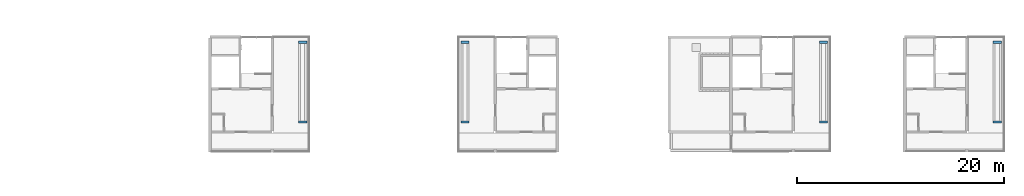
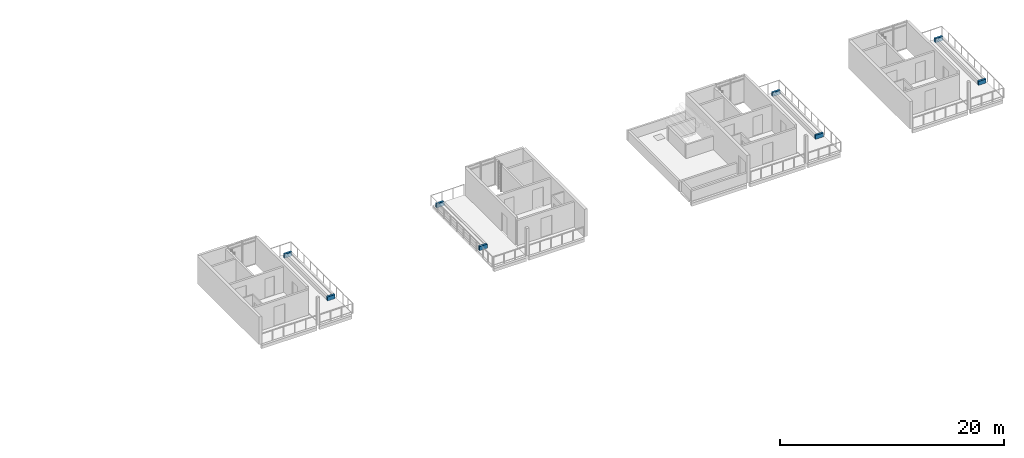
# One storey, part 27 of 33: 8 walls.
"""IFC4 building model written with IfcOpenShell, lengths in metres."""

from ifc_helpers import new_model, si_unit, direction, frame, frame_2d, origin, place, context, subcontext, project, spatial, rectangle, extrude, material, layer, layer_set, type_object, element, save


model = new_model("IFC4")

# Units and contexts
model_context = context("Model", 3, precision=1e-05, world=origin(), true_north=direction((0.0, 1.0)))
body_context = subcontext(model_context, "Body", "Model", "MODEL_VIEW")
ifc_project = project(units=[si_unit("LENGTHUNIT", "METRE"), si_unit("AREAUNIT", "SQUARE_METRE"), si_unit("VOLUMEUNIT", "CUBIC_METRE"), si_unit("PLANEANGLEUNIT", "RADIAN"), si_unit("MASSUNIT", "GRAM", prefix="KILO")], contexts=[model_context])

# Site, building, storey
site_placement = place(None, origin())
site = spatial("IfcSite", under=ifc_project, at=site_placement, CompositionType="ELEMENT")
building_placement = place(site_placement, origin())
building = spatial("IfcBuilding", under=site, at=building_placement, Name="Ridgestep Commons", CompositionType="ELEMENT")
storey_placement = place(building_placement, frame((0.0, 0.0, 42.0)))
storey = spatial("IfcBuildingStorey", under=building, at=storey_placement, Name="L14", CompositionType="ELEMENT", Elevation=42.0)

# Walls
ifc_material = material(Name="Facing brick", Category="masonry")
ifc_layer = layer(ifc_material, 0.199951171875)
ifc_layer_set = layer_set([ifc_layer], Name="Planter wall 200")
wall_type = type_object("IfcWallType", Name="Planter wall 200", PredefinedType="SOLIDWALL", material=ifc_layer_set)
for number, where, z_axis, x_axis, name in (
    (1, (172.14990234375, 14.64990234375, 0.010009765625), (0.0, 0.0, 1.0), (1.0, 0.0, 0.0), "Planter wall D2R3S"),
    (2, (172.14990234375, 22.35009765625, 0.010009765625), (0.0, 0.0, 1.0), (1.0, 0.0, 0.0), "Planter wall D2R3N"),
):
    element("IfcWall", number, at=place(storey_placement, frame(where, z_axis=z_axis, x_axis=x_axis)), inside=storey, type_object=wall_type, Name=name, PredefinedType="SOLIDWALL", context=body_context, shape_type="SweptSolid", body=[
        extrude(rectangle(XDim=0.800048828125, YDim=0.199951171875, at=frame_2d((0.39990234375, 0.0))), origin(), (0.0, 0.0, 1.0), 0.449951171875),
    ])
for number, where, z_axis, x_axis, name in (
    (3, (187.85009765625, 14.64990234375, 0.010009765625), (0.0, 0.0, 1.0), (1.0, 0.0, 0.0), "Planter wall D3R3S"),
    (4, (187.85009765625, 22.35009765625, 0.010009765625), (0.0, 0.0, 1.0), (1.0, 0.0, 0.0), "Planter wall D3R3N"),
):
    element("IfcWall", number, at=place(storey_placement, frame(where, z_axis=z_axis, x_axis=x_axis)), inside=storey, type_object=wall_type, Name=name, PredefinedType="SOLIDWALL", context=body_context, shape_type="SweptSolid", body=[
        extrude(rectangle(XDim=0.7998046875, YDim=0.199951171875, at=frame_2d((0.39990234375, 0.0))), origin(), (0.0, 0.0, 1.0), 0.449951171875),
    ])
for number, where, z_axis, x_axis, name in (
    (5, (222.550048828125, 14.64990234375, 0.010009765625), (0.0, 0.0, 1.0), (1.0, 0.0, 0.0), "Planter wall D5R3S"),
    (6, (222.550048828125, 22.35009765625, 0.010009765625), (0.0, 0.0, 1.0), (1.0, 0.0, 0.0), "Planter wall D5R3N"),
):
    element("IfcWall", number, at=place(storey_placement, frame(where, z_axis=z_axis, x_axis=x_axis)), inside=storey, type_object=wall_type, Name=name, PredefinedType="SOLIDWALL", context=body_context, shape_type="SweptSolid", body=[
        extrude(rectangle(XDim=0.800048828125, YDim=0.199951171875, at=frame_2d((0.39990234375, 0.0))), origin(), (0.0, 0.0, 1.0), 0.449951171875),
    ])
for number, where, z_axis, x_axis, name in (
    (7, (239.35009765625, 14.64990234375, 0.010009765625), (0.0, 0.0, 1.0), (1.0, 0.0, 0.0), "Planter wall D6R3S"),
    (8, (239.35009765625, 22.35009765625, 0.010009765625), (0.0, 0.0, 1.0), (1.0, 0.0, 0.0), "Planter wall D6R3N"),
):
    element("IfcWall", number, at=place(storey_placement, frame(where, z_axis=z_axis, x_axis=x_axis)), inside=storey, type_object=wall_type, Name=name, PredefinedType="SOLIDWALL", context=body_context, shape_type="SweptSolid", body=[
        extrude(rectangle(XDim=0.7998046875, YDim=0.199951171875, at=frame_2d((0.39990234375, 0.0))), origin(), (0.0, 0.0, 1.0), 0.449951171875),
    ])

save(model, "model.ifc")
